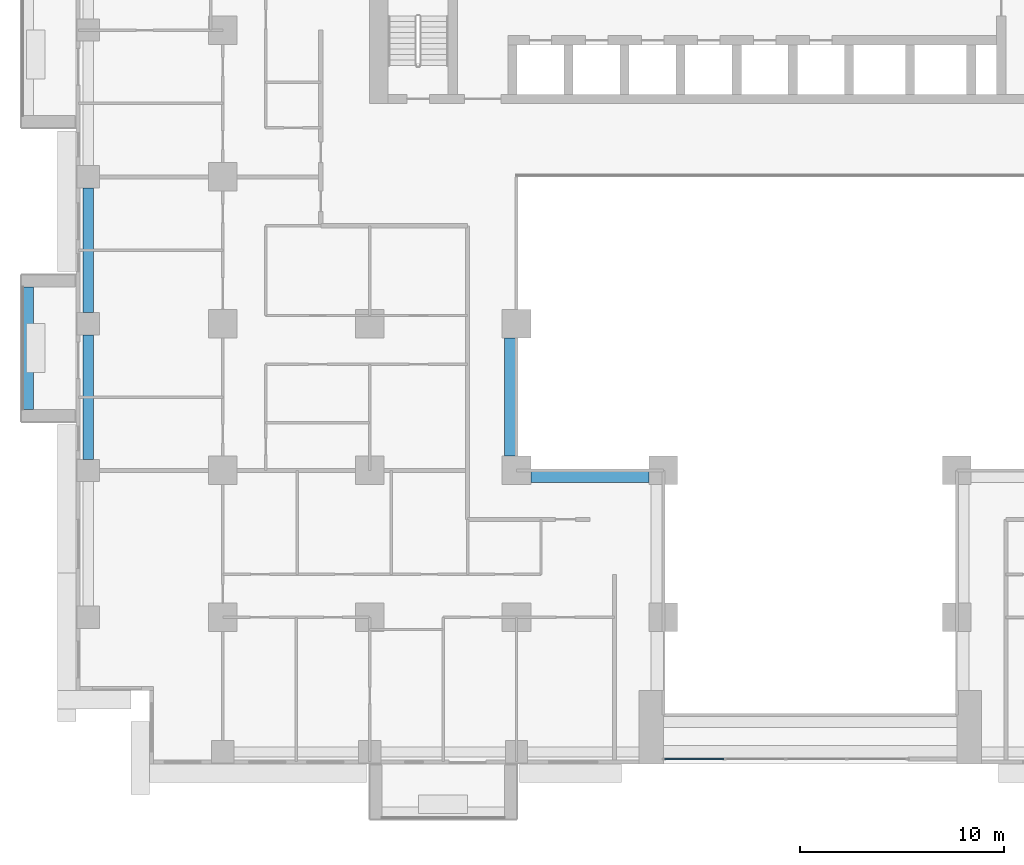
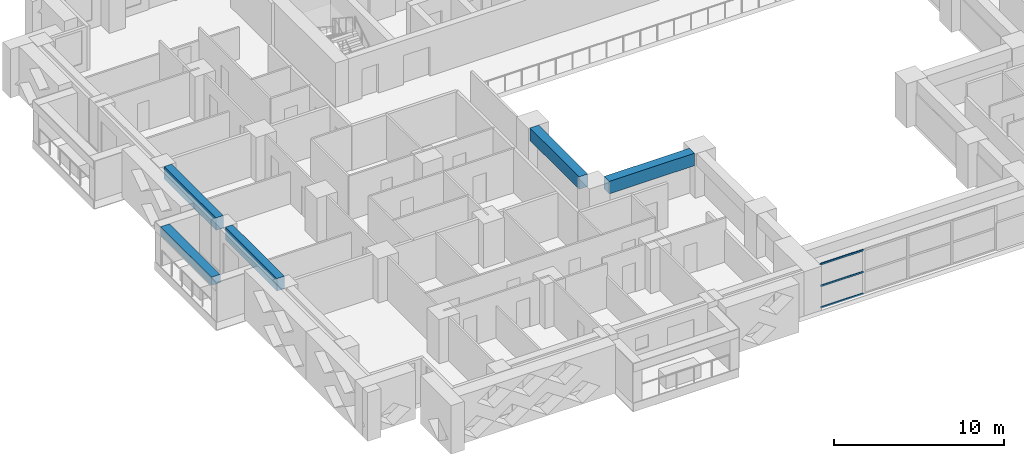
# One storey, part 3 of 17: 5 beams, 3 members, 1 element without a shape of its own.
"""IFC4 building model written with IfcOpenShell, lengths in metres."""

from ifc_helpers import new_model, si_unit, direction, frame, origin, origin_2d, place, context, subcontext, project, spatial, rectangle, extrude, source, transform, mapped, material, layer, layer_set, material_profile, profile_set, type_object, element, aggregate, save


model = new_model("IFC4")

# Units and contexts
model_context = context("Model", 3, precision=1e-05, world=origin(), true_north=direction((0.0, 1.0)))
body_context = subcontext(model_context, "Body", "Model", "MODEL_VIEW")
ifc_project = project(units=[si_unit("LENGTHUNIT", "METRE"), si_unit("AREAUNIT", "SQUARE_METRE"), si_unit("VOLUMEUNIT", "CUBIC_METRE"), si_unit("PLANEANGLEUNIT", "RADIAN"), si_unit("MASSUNIT", "GRAM", prefix="KILO")], contexts=[model_context])

# Site, building, storey
site_placement = place(None, origin())
site = spatial("IfcSite", under=ifc_project, at=site_placement, CompositionType="ELEMENT")
building_placement = place(site_placement, origin())
building = spatial("IfcBuilding", under=site, at=building_placement, Name="Saffron Iwan Residences", CompositionType="ELEMENT")
storey_placement = place(building_placement, frame((0.0, 0.0, 34.0)))
storey = spatial("IfcBuildingStorey", under=building, at=storey_placement, Name="L07", CompositionType="ELEMENT", Elevation=34.0)

# Beams
ifc_material_1 = material(Name="Concrete C60/75", Category="concrete")
ifc_material_profile_1 = material_profile(ifc_material_1, rectangle(XDim=0.5, YDim=0.89990234375, at=origin_2d()), Name="RC 500x900")
ifc_profile_set_1 = profile_set([ifc_material_profile_1], Name="Concrete C60/75")
beam_type_1 = type_object("IfcBeamType", Name="SPANDREL BEAM RC 500x900 C60/75 TOP 3180", PredefinedType="SPANDREL", material=ifc_profile_set_1)
shared_shape_1 = source(origin(), body_context, "Body", "SweptSolid", [
    extrude(rectangle(XDim=0.5, YDim=0.89990234375, at=origin_2d()), origin(), (0.0, 0.0, 1.0), 6.10009765625),
])
beam_1_placement = place(storey_placement, frame((15.0, 55.75, 2.72998046875), z_axis=(0.0, 1.0, 0.0), x_axis=(-1.0, 0.0, 0.0)))
element("IfcBeam", 1, at=beam_1_placement, inside=storey, type_object=beam_type_1, Name="Spandrel beam", PredefinedType="SPANDREL", context=body_context, shape_type="MappedRepresentation", body=[
    mapped(shared_shape_1, transform((0.0, 0.0, 0.0))),
])
shared_shape_2 = source(origin(), body_context, "Body", "SweptSolid", [
    extrude(rectangle(XDim=0.5, YDim=0.89990234375, at=origin_2d()), origin(), (0.0, 0.0, 1.0), 6.099853515625),
])
beam_2_placement = place(storey_placement, frame((15.0, 48.550048828125, 2.72998046875), z_axis=(0.0, 1.0, 0.0), x_axis=(-1.0, 0.0, 0.0)))
element("IfcBeam", 2, at=beam_2_placement, inside=storey, type_object=beam_type_1, Name="Spandrel beam", PredefinedType="SPANDREL", context=body_context, shape_type="MappedRepresentation", body=[
    mapped(shared_shape_2, transform((0.0, 0.0, 0.0))),
])
ifc_material_profile_2 = material_profile(ifc_material_1, rectangle(XDim=0.60009765625, YDim=0.89990234375, at=origin_2d()), Name="RC 600x900")
ifc_profile_set_2 = profile_set([ifc_material_profile_2], Name="Concrete C60/75")
beam_type_2 = type_object("IfcBeamType", Name="BEAM RC 600x900 C60/75 TOP 3180", PredefinedType="BEAM", material=ifc_profile_set_2)
shared_shape_3 = source(origin(), body_context, "Body", "SweptSolid", [
    extrude(rectangle(XDim=0.60009765625, YDim=0.89990234375, at=origin_2d()), origin(), (0.0, 0.0, 1.0), 5.800048828125),
])
for number, where, z_axis, x_axis, name in (
    (3, (42.5, 47.699951171875, 2.72998046875), (-1.0, 0.0, 0.0), (0.0, -1.0, 0.0), "Atrium edge beam"),
    (4, (35.699951171875, 48.699951171875, 2.72998046875), (0.0, 1.0, 0.0), (-1.0, 0.0, 0.0), "Atrium edge beam"),
):
    element("IfcBeam", number, at=place(storey_placement, frame(where, z_axis=z_axis, x_axis=x_axis)), inside=storey, type_object=beam_type_2, Name=name, PredefinedType="BEAM", context=body_context, shape_type="MappedRepresentation", body=[
        mapped(shared_shape_3, transform((0.0, 0.0, 0.0))),
    ])

# Curtain wall, members
ifc_material_2 = material(Name="Clear glass, laminated double glazed", Category="glass")
ifc_layer = layer(ifc_material_2, 0.199951171875)
ifc_layer_set = layer_set([ifc_layer], Name="Clear glass, laminated double glazed")
curtain_wall_type = type_object("IfcCurtainWallType", Name="CW-B IWAN PORTAL", PredefinedType="NOTDEFINED", material=ifc_layer_set)
curtain_wall_placement = place(storey_placement, origin())
curtain_wall = element("IfcCurtainWall", 5, at=curtain_wall_placement, inside=storey, type_object=curtain_wall_type, Name="Iwan portal glazing L07.1", PredefinedType="NOTDEFINED")
ifc_material_3 = material(Name="Aluminium 6063-T6", Category="aluminium")
ifc_material_profile_3 = material_profile(ifc_material_3, rectangle(XDim=0.06005859375, YDim=0.1201171875, at=origin_2d()), Name="CW-B TRANSOM 60 x 120")
ifc_profile_set_3 = profile_set([ifc_material_profile_3], Name="Aluminium 6063-T6")
member_type = type_object("IfcMemberType", Name="CW-B TRANSOM 60 x 120", PredefinedType="USERDEFINED", material=ifc_profile_set_3)
shared_shape_4 = source(origin(), body_context, "Body", "SweptSolid", [
    extrude(rectangle(XDim=0.06005859375, YDim=0.1201171875, at=origin_2d()), origin(), (0.0, 0.0, 1.0), 2.909912109375),
])
member_1_placement = place(storey_placement, frame((43.260009765625, 33.85009765625, 0.030029296875), z_axis=(1.0, 0.0, 0.0), x_axis=(0.0, 1.0, 0.0)))
member_1 = element("IfcMember", 6, at=member_1_placement, type_object=member_type, Name="CW-B transom 1.1", ObjectType="TRANSOM", PredefinedType="USERDEFINED", context=body_context, shape_type="MappedRepresentation", body=[
    mapped(shared_shape_4, transform((0.0, 0.0, 0.0))),
])
member_2_placement = place(storey_placement, frame((43.260009765625, 33.85009765625, 1.590087890625), z_axis=(1.0, 0.0, 0.0), x_axis=(0.0, 1.0, 0.0)))
member_2 = element("IfcMember", 7, at=member_2_placement, type_object=member_type, Name="CW-B transom 1.2", ObjectType="TRANSOM", PredefinedType="USERDEFINED", context=body_context, shape_type="MappedRepresentation", body=[
    mapped(shared_shape_4, transform((0.0, 0.0, 0.0))),
])
member_3_placement = place(storey_placement, frame((43.260009765625, 33.85009765625, 3.14990234375), z_axis=(1.0, 0.0, 0.0), x_axis=(0.0, 1.0, 0.0)))
member_3 = element("IfcMember", 8, at=member_3_placement, type_object=member_type, Name="CW-B transom 1.3", ObjectType="TRANSOM", PredefinedType="USERDEFINED", context=body_context, shape_type="MappedRepresentation", body=[
    mapped(shared_shape_4, transform((0.0, 0.0, 0.0))),
])
aggregate(curtain_wall, [member_1, member_2, member_3])

# Beam
ifc_material_4 = material(Name="Concrete C50/60 white painted", Category="concrete")
ifc_material_profile_4 = material_profile(ifc_material_4, rectangle(XDim=0.60009765625, YDim=0.60009765625, at=origin_2d()), Name="BALCONY FASCIA BEAM 600 x 600")
ifc_profile_set_4 = profile_set([ifc_material_profile_4], Name="Concrete C50/60 white painted")
beam_type_3 = type_object("IfcBeamType", Name="BALCONY FASCIA BEAM 600 x 600", PredefinedType="BEAM", material=ifc_profile_set_4)
shared_shape_5 = source(origin(), body_context, "Body", "SweptSolid", [
    extrude(rectangle(XDim=0.60009765625, YDim=0.60009765625, at=origin_2d()), origin(), (0.0, 0.0, 1.0), 6.0),
])
beam_3_placement = place(storey_placement, frame((12.0, 57.0, 2.550048828125), z_axis=(0.0, -1.0, 0.0), x_axis=(1.0, 0.0, 0.0)))
element("IfcBeam", 9, at=beam_3_placement, inside=storey, type_object=beam_type_3, Name="Balcony fascia beam L07 F8-1", PredefinedType="BEAM", context=body_context, shape_type="MappedRepresentation", body=[
    mapped(shared_shape_5, transform((0.0, 0.0, 0.0))),
])

save(model, "model.ifc")
